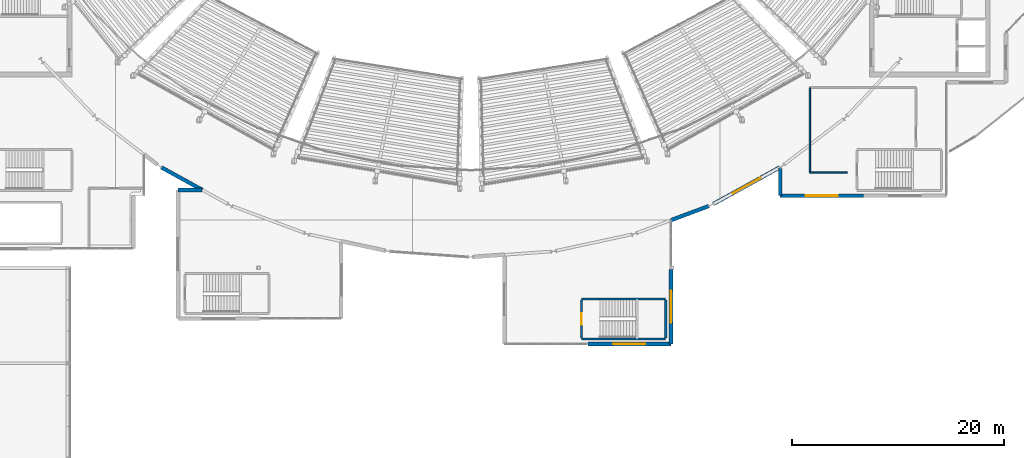
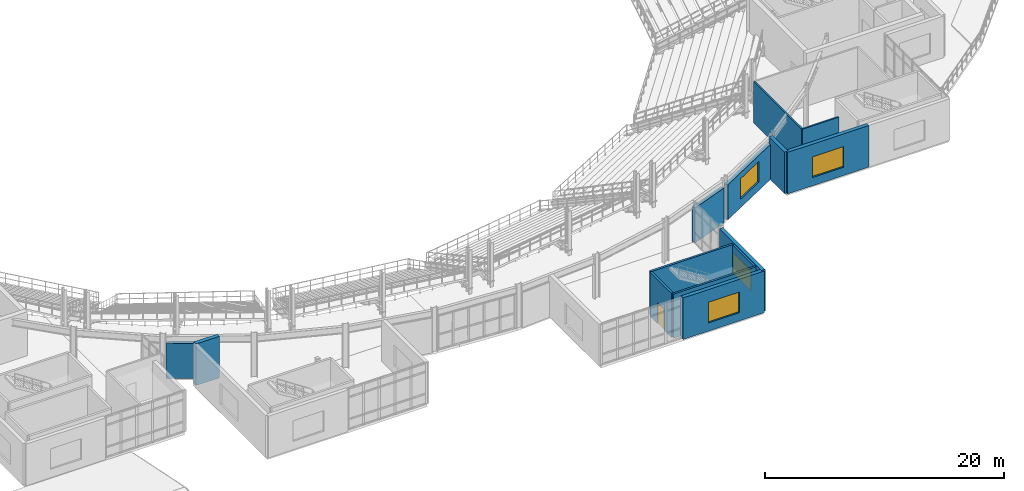
# One storey, part 55 of 81: 14 walls, 4 windows, 1 door, 5 openings.
"""IFC4 building model written with IfcOpenShell, lengths in metres."""

from ifc_helpers import new_model, si_unit, direction, frame, frame_2d, origin, place, context, subcontext, project, spatial, rectangle, extrude, material, layer, layer_set, type_object, element, fill, save


model = new_model("IFC4")

# Units and contexts
model_context = context("Model", 3, precision=1e-05, world=origin(), true_north=direction((0.0, 1.0)))
body_context = subcontext(model_context, "Body", "Model", "MODEL_VIEW")
ifc_project = project(units=[si_unit("LENGTHUNIT", "METRE"), si_unit("AREAUNIT", "SQUARE_METRE"), si_unit("VOLUMEUNIT", "CUBIC_METRE"), si_unit("PLANEANGLEUNIT", "RADIAN"), si_unit("MASSUNIT", "GRAM", prefix="KILO")], contexts=[model_context])

# Site, building, storey
site_placement = place(None, origin())
site = spatial("IfcSite", under=ifc_project, at=site_placement, CompositionType="ELEMENT")
building_placement = place(site_placement, origin())
building = spatial("IfcBuilding", under=site, at=building_placement, Name="Glasvene Arena", CompositionType="ELEMENT")
storey_placement = place(building_placement, frame((0.0, 0.0, 15.0)))
storey = spatial("IfcBuildingStorey", under=building, at=storey_placement, Name="L03", CompositionType="ELEMENT", Elevation=15.0)

# Wall, opening, window
ifc_material_1 = material(Name="Coursed pale Irish limestone", Category="masonry")
ifc_layer_1 = layer(ifc_material_1, 0.360107421875)
ifc_layer_set_1 = layer_set([ifc_layer_1], Name="Coursed pale Irish limestone")
wall_type_1 = type_object("IfcWallType", Name="WL-EXT-LIM-360", PredefinedType="STANDARD", material=ifc_layer_set_1)
wall_1_placement = place(storey_placement, frame((129.050048828125, 33.800048828125, 0.0), z_axis=(0.0, 0.0, 1.0), x_axis=(-1.0, 0.0, 0.0)))
wall_1 = element("IfcWall", 1, at=wall_1_placement, inside=storey, type_object=wall_type_1, Name="External facade wall EW-L03-0216", PredefinedType="STANDARD", context=body_context, shape_type="SweptSolid", body=[
    extrude(rectangle(XDim=7.85009765625, YDim=0.360107421875, at=frame_2d((3.925048828125, 0.0))), origin(), (0.0, 0.0, 1.0), 4.25),
])
opening_1_placement = place(wall_1_placement, frame((2.425048828125, 0.0, 0.85009765625)))
opening_1 = element("IfcOpeningElement", 2, at=opening_1_placement, cuts=wall_1, Name="Opening W-08", PredefinedType="OPENING", context=body_context, shape_type="SweptSolid", body=[
    extrude(rectangle(XDim=3.0, YDim=2.10009765625, at=frame_2d((1.5, 1.050048828125))), frame((0.0, 0.18994140625, 0.0), z_axis=(0.0, -1.0, 0.0), x_axis=(1.0, 0.0, 0.0)), (0.0, 0.0, 1.0), 0.380126953125),
])
ifc_material_2 = material(Name="Low-emissivity laminated double glazing", Category="glass")
window_type = type_object("IfcWindowType", Name="WN-SUITE-300x210", PartitioningType="DOUBLE_PANEL_VERTICAL", PredefinedType="WINDOW", material=ifc_material_2)
window_1_placement = place(opening_1_placement, origin())
window_1 = element("IfcWindow", 3, at=window_1_placement, inside=storey, type_object=window_type, Name="Facade window WN-SUITE-300x210 L03-0140", OverallHeight=2.10009765625, OverallWidth=3.0, PartitioningType="SINGLE_PANEL", PredefinedType="WINDOW", context=body_context, shape_type="SweptSolid", body=[
    extrude(rectangle(XDim=3.0, YDim=2.10009765625, at=frame_2d((1.5, 1.050048828125))), frame((0.0, 0.030029296875, 0.0), z_axis=(0.0, -1.0, 0.0), x_axis=(1.0, 0.0, 0.0)), (0.0, 0.0, 1.0), 0.06005859375),
])
fill(opening_1, window_1)

# Wall
wall_2_placement = place(storey_placement, frame((121.199951171875, 33.800048828125, 0.0), z_axis=(0.0, 0.0, 1.0), x_axis=(0.0, 1.0, 0.0)))
element("IfcWall", 4, at=wall_2_placement, inside=storey, type_object=wall_type_1, Name="External facade wall EW-L03-0217", PredefinedType="STANDARD", context=body_context, shape_type="SweptSolid", body=[
    extrude(rectangle(XDim=2.6083984375, YDim=0.360107421875, at=frame_2d((1.30419921875, 0.0))), origin(), (0.0, 0.0, 1.0), 4.25),
])

# Wall, opening, window
wall_3_placement = place(storey_placement, frame((121.154541015625, 36.464599609375, 0.0), z_axis=(0.0, 0.0, 1.0), x_axis=(-0.875666344916, -0.482916610174, 0.0)))
wall_3 = element("IfcWall", 5, at=wall_3_placement, inside=storey, type_object=wall_type_1, Name="External facade wall EW-L03-0218", PredefinedType="STANDARD", context=body_context, shape_type="SweptSolid", body=[
    extrude(rectangle(XDim=7.107666015625, YDim=0.360107421875, at=frame_2d((3.5537109375, 0.0))), origin(), (0.0, 0.0, 1.0), 3.5615234375),
])
opening_2_placement = place(wall_3_placement, frame((2.053955078125, 0.0, 0.85009765625)))
opening_2 = element("IfcOpeningElement", 6, at=opening_2_placement, cuts=wall_3, Name="Opening W-08", PredefinedType="OPENING", context=body_context, shape_type="SweptSolid", body=[
    extrude(rectangle(XDim=3.0, YDim=2.10009765625, at=frame_2d((1.5, 1.050048828125))), frame((0.0, 0.18994140625, 0.0), z_axis=(0.0, -1.0, 0.0), x_axis=(1.0, 0.0, 0.0)), (0.0, 0.0, 1.0), 0.380126953125),
])
window_2_placement = place(opening_2_placement, origin())
window_2 = element("IfcWindow", 7, at=window_2_placement, inside=storey, type_object=window_type, Name="Facade window WN-SUITE-300x210 L03-0141", OverallHeight=2.10009765625, OverallWidth=3.0, PartitioningType="SINGLE_PANEL", PredefinedType="WINDOW", context=body_context, shape_type="SweptSolid", body=[
    extrude(rectangle(XDim=3.0, YDim=2.10009765625, at=frame_2d((1.5, 1.050048828125))), frame((0.0, 0.030029296875, 0.0), z_axis=(0.0, -1.0, 0.0), x_axis=(1.0, 0.0, 0.0)), (0.0, 0.0, 1.0), 0.06005859375),
])
fill(opening_2, window_2)

# Wall
wall_4_placement = place(storey_placement, frame((114.448974609375, 32.811279296875, 0.0), z_axis=(0.0, 0.0, 1.0), x_axis=(-0.937013461401, -0.349293248079, 0.0)))
element("IfcWall", 8, at=wall_4_placement, inside=storey, type_object=wall_type_1, Name="External facade wall EW-L03-0219", PredefinedType="STANDARD", context=body_context, shape_type="SweptSolid", body=[
    extrude(rectangle(XDim=3.78759765625, YDim=0.360107421875, at=frame_2d((1.893798828125, 0.0))), origin(), (0.0, 0.0, 1.0), 3.5615234375),
])

# Wall, opening, window
wall_5_placement = place(storey_placement, frame((110.89990234375, 26.847900390625, 0.0), z_axis=(0.0, 0.0, 1.0), x_axis=(0.0, -1.0, 0.0)))
wall_5 = element("IfcWall", 9, at=wall_5_placement, inside=storey, type_object=wall_type_1, Name="External facade wall EW-L03-0220", PredefinedType="STANDARD", context=body_context, shape_type="SweptSolid", body=[
    extrude(rectangle(XDim=7.0478515625, YDim=0.360107421875, at=frame_2d((3.52392578125, 0.0))), origin(), (0.0, 0.0, 1.0), 4.25),
])
opening_3_placement = place(wall_5_placement, frame((2.02392578125, 0.0, 0.85009765625)))
opening_3 = element("IfcOpeningElement", 10, at=opening_3_placement, cuts=wall_5, Name="Opening W-08", PredefinedType="OPENING", context=body_context, shape_type="SweptSolid", body=[
    extrude(rectangle(XDim=3.0, YDim=2.10009765625, at=frame_2d((1.5, 1.050048828125))), frame((0.0, 0.18994140625, 0.0), z_axis=(0.0, -1.0, 0.0), x_axis=(1.0, 0.0, 0.0)), (0.0, 0.0, 1.0), 0.380126953125),
])
window_3_placement = place(opening_3_placement, origin())
window_3 = element("IfcWindow", 11, at=window_3_placement, inside=storey, type_object=window_type, Name="Facade window WN-SUITE-300x210 L03-0142", OverallHeight=2.10009765625, OverallWidth=3.0, PartitioningType="SINGLE_PANEL", PredefinedType="WINDOW", context=body_context, shape_type="SweptSolid", body=[
    extrude(rectangle(XDim=3.0, YDim=2.10009765625, at=frame_2d((1.5, 1.050048828125))), frame((0.0, 0.030029296875, 0.0), z_axis=(0.0, -1.0, 0.0), x_axis=(1.0, 0.0, 0.0)), (0.0, 0.0, 1.0), 0.06005859375),
])
fill(opening_3, window_3)

wall_6_placement = place(storey_placement, frame((110.89990234375, 19.800048828125, 0.0), z_axis=(0.0, 0.0, 1.0), x_axis=(-1.0, 0.0, 0.0)))
wall_6 = element("IfcWall", 12, at=wall_6_placement, inside=storey, type_object=wall_type_1, Name="External facade wall EW-L03-0221", PredefinedType="STANDARD", context=body_context, shape_type="SweptSolid", body=[
    extrude(rectangle(XDim=7.849853515625, YDim=0.360107421875, at=frame_2d((3.9248046875, 0.0))), origin(), (0.0, 0.0, 1.0), 4.25),
])
opening_4_placement = place(wall_6_placement, frame((2.425048828125, 0.0, 0.85009765625)))
opening_4 = element("IfcOpeningElement", 13, at=opening_4_placement, cuts=wall_6, Name="Opening W-08", PredefinedType="OPENING", context=body_context, shape_type="SweptSolid", body=[
    extrude(rectangle(XDim=3.0, YDim=2.10009765625, at=frame_2d((1.5, 1.050048828125))), frame((0.0, 0.18994140625, 0.0), z_axis=(0.0, -1.0, 0.0), x_axis=(1.0, 0.0, 0.0)), (0.0, 0.0, 1.0), 0.380126953125),
])
window_4_placement = place(opening_4_placement, origin())
window_4 = element("IfcWindow", 14, at=window_4_placement, inside=storey, type_object=window_type, Name="Facade window WN-SUITE-300x210 L03-0143", OverallHeight=2.10009765625, OverallWidth=3.0, PartitioningType="SINGLE_PANEL", PredefinedType="WINDOW", context=body_context, shape_type="SweptSolid", body=[
    extrude(rectangle(XDim=3.0, YDim=2.10009765625, at=frame_2d((1.5, 1.050048828125))), frame((0.0, 0.030029296875, 0.0), z_axis=(0.0, -1.0, 0.0), x_axis=(1.0, 0.0, 0.0)), (0.0, 0.0, 1.0), 0.06005859375),
])
fill(opening_4, window_4)

# Walls
wall_7_placement = place(storey_placement, frame((64.39990234375, 34.35009765625, 0.0), z_axis=(0.0, 0.0, 1.0), x_axis=(1.0, 0.0, 0.0)))
element("IfcWall", 15, at=wall_7_placement, inside=storey, type_object=wall_type_1, Name="External facade wall EW-L03-0228", PredefinedType="STANDARD", context=body_context, shape_type="SweptSolid", body=[
    extrude(rectangle(XDim=2.280029296875, YDim=0.360107421875, at=frame_2d((1.14013671875, 0.0))), origin(), (0.0, 0.0, 1.0), 4.25),
])
wall_8_placement = place(storey_placement, frame((66.679931640625, 34.35009765625, 0.0), z_axis=(0.0, 0.0, 1.0), x_axis=(-0.875680939535, 0.482890144996, 0.0)))
element("IfcWall", 16, at=wall_8_placement, inside=storey, type_object=wall_type_1, Name="External facade wall EW-L03-0229", PredefinedType="STANDARD", context=body_context, shape_type="SweptSolid", body=[
    extrude(rectangle(XDim=4.37890625, YDim=0.360107421875, at=frame_2d((2.189453125, 0.0))), origin(), (0.0, 0.0, 1.0), 3.5615234375),
])
ifc_material_3 = material(Name="Insulated acoustic metal-stud partition")
ifc_layer_2 = layer(ifc_material_3, 0.14990234375)
ifc_layer_set_2 = layer_set([ifc_layer_2], Name="Insulated acoustic metal-stud partition")
wall_type_2 = type_object("IfcWallType", Name="WL-PART-150", PredefinedType="PARTITIONING", material=ifc_layer_set_2)
wall_9_placement = place(storey_placement, frame((127.509521484375, 36.0, 0.0), z_axis=(0.0, 0.0, 1.0), x_axis=(-1.0, 0.0, 0.0)))
element("IfcWall", 17, at=wall_9_placement, inside=storey, type_object=wall_type_2, Name="Interior partition wall IW-L03-0268 (Suite Pantry and Sommelier Store)", PredefinedType="PARTITIONING", context=body_context, shape_type="SweptSolid", body=[
    extrude(rectangle(XDim=3.509521484375, YDim=0.14990234375, at=frame_2d((1.7548828125, 0.0))), origin(), (0.0, 0.0, 1.0), 4.25),
])
wall_10_placement = place(storey_placement, frame((124.0, 36.0, 0.0), z_axis=(0.0, 0.0, 1.0), x_axis=(0.0, 1.0, 0.0)))
element("IfcWall", 18, at=wall_10_placement, inside=storey, type_object=wall_type_2, Name="Interior partition wall IW-L03-0269 (Suite Pantry and Sommelier Store)", PredefinedType="PARTITIONING", context=body_context, shape_type="SweptSolid", body=[
    extrude(rectangle(XDim=8.0, YDim=0.14990234375, at=frame_2d((4.0, 0.0))), origin(), (0.0, 0.0, 1.0), 4.25),
])
ifc_material_4 = material(Name="Concrete C40/50", Category="concrete")
ifc_layer_3 = layer(ifc_material_4, 0.199951171875)
ifc_layer_set_3 = layer_set([ifc_layer_3], Name="Concrete C40/50")
wall_type_3 = type_object("IfcWallType", Name="WL-SHAFT-200", PredefinedType="SHEAR", material=ifc_layer_set_3)
wall_11_placement = place(storey_placement, frame((102.449951171875, 20.280029296875, 0.0), z_axis=(0.0, 0.0, 1.0), x_axis=(1.0, 0.0, 0.0)))
element("IfcWall", 19, at=wall_11_placement, inside=storey, type_object=wall_type_3, Name="Escape stair shaft wall ST-09 L03 S", PredefinedType="SHEAR", context=body_context, shape_type="SweptSolid", body=[
    extrude(rectangle(XDim=7.949951171875, YDim=0.199951171875, at=frame_2d((3.97509765625, 0.0))), origin(), (0.0, 0.0, 1.0), 4.5),
])

# Wall, opening, door
wall_12_placement = place(storey_placement, frame((102.449951171875, 20.382080078125, 0.0), z_axis=(0.0, 0.0, 1.0), x_axis=(0.0, 1.0, 0.0)))
wall_12 = element("IfcWall", 20, at=wall_12_placement, inside=storey, type_object=wall_type_3, Name="Escape stair shaft wall ST-09 L03 W", PredefinedType="SHEAR", context=body_context, shape_type="SweptSolid", body=[
    extrude(rectangle(XDim=3.5859375, YDim=0.199951171875, at=frame_2d((1.79296875, 0.0))), origin(), (0.0, 0.0, 1.0), 4.5),
])
opening_5_placement = place(wall_12_placement, frame((1.242919921875, 0.0, 0.0)))
opening_5 = element("IfcOpeningElement", 21, at=opening_5_placement, cuts=wall_12, Name="Opening D-04", PredefinedType="OPENING", context=body_context, shape_type="SweptSolid", body=[
    extrude(rectangle(XDim=1.10009765625, YDim=2.14990234375, at=frame_2d((0.550048828125, 1.074951171875))), frame((0.0, 0.10986328125, 0.0), z_axis=(0.0, -1.0, 0.0), x_axis=(1.0, 0.0, 0.0)), (0.0, 0.0, 1.0), 0.219970703125),
])
ifc_material_5 = material(Name="Painted fire-resisting steel", Category="steel")
door_type = type_object("IfcDoorType", Name="DR-FD60-1100", OperationType="NOTDEFINED", PredefinedType="DOOR", material=ifc_material_5)
door_placement = place(opening_5_placement, frame((1.10009765625, 0.0, 0.0), z_axis=(0.0, 0.0, 1.0), x_axis=(-1.0, 0.0, 0.0)))
door = element("IfcDoor", 22, at=door_placement, inside=storey, type_object=door_type, Name="Protected escape stair door ST-09 L03", OperationType="SINGLE_SWING_RIGHT", OverallHeight=2.14990234375, OverallWidth=1.10009765625, PredefinedType="DOOR", context=body_context, shape_type="SweptSolid", body=[
    extrude(rectangle(XDim=1.10009765625, YDim=2.14990234375, at=frame_2d((0.550048828125, 1.074951171875))), frame((0.0, 0.02490234375, 0.0), z_axis=(0.0, -1.0, 0.0), x_axis=(1.0, 0.0, 0.0)), (0.0, 0.0, 1.0), 0.050048828125),
])
fill(opening_5, door)

# Walls
wall_13_placement = place(storey_placement, frame((110.39990234375, 20.382080078125, 0.0), z_axis=(0.0, 0.0, 1.0), x_axis=(0.0, 1.0, 0.0)))
element("IfcWall", 23, at=wall_13_placement, inside=storey, type_object=wall_type_3, Name="Escape stair shaft wall ST-09 L03 E", PredefinedType="SHEAR", context=body_context, shape_type="SweptSolid", body=[
    extrude(rectangle(XDim=3.5859375, YDim=0.199951171875, at=frame_2d((1.79296875, 0.0))), origin(), (0.0, 0.0, 1.0), 4.5),
])
wall_14_placement = place(storey_placement, frame((102.449951171875, 24.070068359375, 0.0), z_axis=(0.0, 0.0, 1.0), x_axis=(1.0, 0.0, 0.0)))
element("IfcWall", 24, at=wall_14_placement, inside=storey, type_object=wall_type_3, Name="Escape stair shaft wall ST-09 L03 N", PredefinedType="SHEAR", context=body_context, shape_type="SweptSolid", body=[
    extrude(rectangle(XDim=7.949951171875, YDim=0.199951171875, at=frame_2d((3.97509765625, 0.0))), origin(), (0.0, 0.0, 1.0), 4.5),
])

save(model, "model.ifc")
